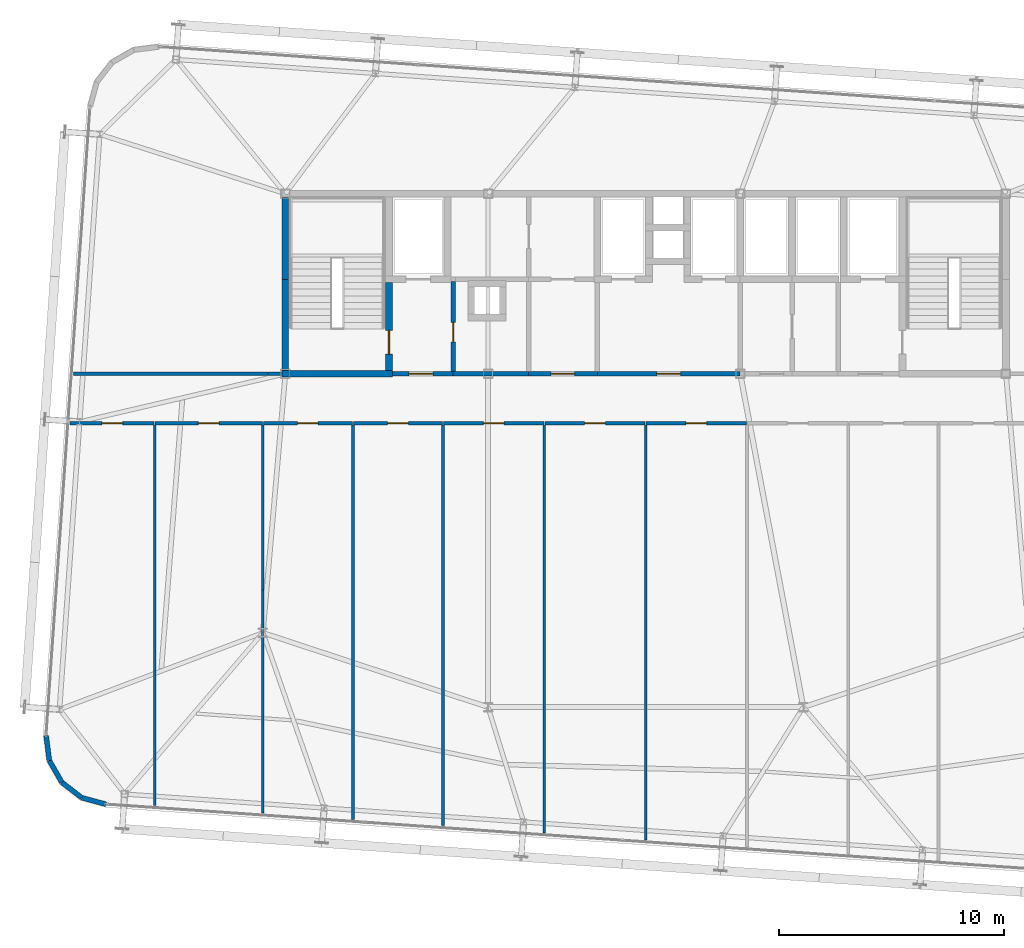
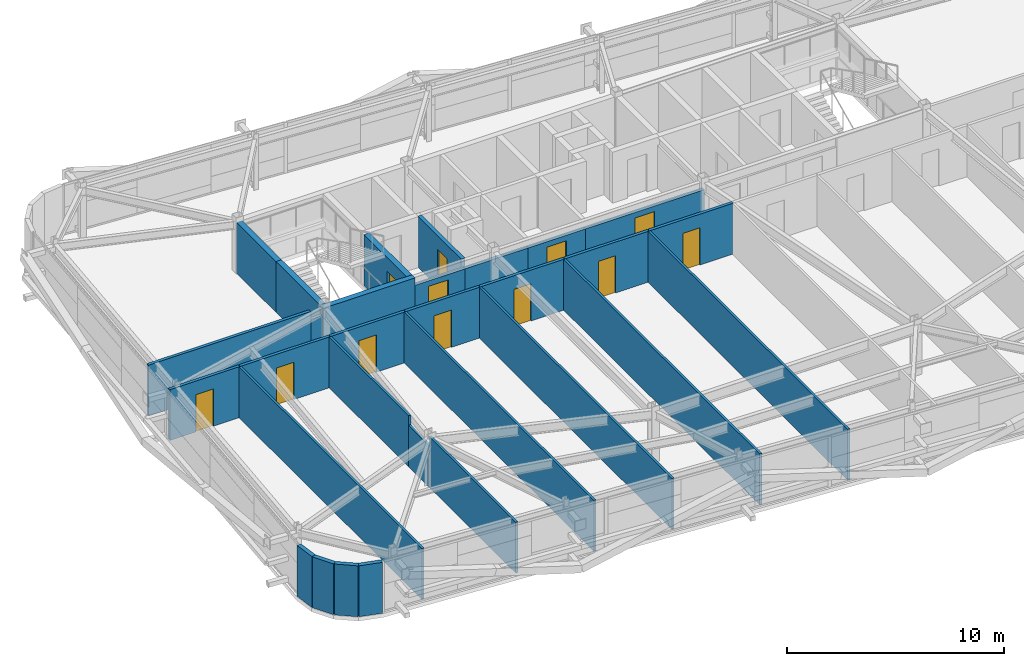
# One storey, part 35 of 39: 30 walls, 12 doors, 12 openings.
"""IFC4 building model written with IfcOpenShell, lengths in metres."""

from ifc_helpers import new_model, si_unit, direction, frame, frame_2d, origin, place, context, subcontext, project, spatial, rectangle, extrude, source, transform, mapped, material, layer, layer_set, type_object, element, fill, save


model = new_model("IFC4")

# Units and contexts
model_context = context("Model", 3, precision=1e-05, world=origin(), true_north=direction((0.0, 1.0)))
body_context = subcontext(model_context, "Body", "Model", "MODEL_VIEW")
ifc_project = project(units=[si_unit("LENGTHUNIT", "METRE"), si_unit("AREAUNIT", "SQUARE_METRE"), si_unit("VOLUMEUNIT", "CUBIC_METRE"), si_unit("PLANEANGLEUNIT", "RADIAN"), si_unit("MASSUNIT", "GRAM", prefix="KILO")], contexts=[model_context])

# Site, building, storey
site_placement = place(None, origin())
site = spatial("IfcSite", under=ifc_project, at=site_placement, CompositionType="ELEMENT")
building_placement = place(site_placement, origin())
building = spatial("IfcBuilding", under=site, at=building_placement, Name="Taldren Reach Tower", CompositionType="ELEMENT")
storey_placement = place(building_placement, frame((0.0, 0.0, 161.35009765625)))
storey = spatial("IfcBuildingStorey", under=building, at=storey_placement, Name="L49", CompositionType="ELEMENT", Elevation=161.35009765625)

# Walls
ifc_material_1 = material(Name="Pale Champagne Anodised Aluminium Cladding", Category="aluminium")
ifc_layer_1 = layer(ifc_material_1, 0.04, Name="Pale Champagne Anodised Aluminium Cladding", Category="aluminium")
ifc_material_2 = material(Name="Mineral Wool Acoustic Insulation", Category="insulation")
ifc_layer_2 = layer(ifc_material_2, 0.06, Name="Mineral Wool Acoustic Insulation", Category="insulation")
ifc_material_3 = material(Name="Steel Gr 350 (C350L0)", Category="steel")
ifc_layer_3 = layer(ifc_material_3, 0.12, Name="Steel Gr 350 (C350L0)", Category="steel")
ifc_layer_set_1 = layer_set([ifc_layer_1, ifc_layer_2, ifc_layer_3], Name="Pale Champagne Aluminium Cladding and Steel Gr 350 Stud Framing")
wall_type_1 = type_object("IfcWallType", Name="EW-CRN-220", PredefinedType="SOLIDWALL", material=ifc_layer_set_1)
shared_shape_1 = source(origin(), body_context, "Body", "SweptSolid", [
    extrude(rectangle(XDim=1.115966796875, YDim=0.219970703125, at=frame_2d((0.55810546875, 0.0))), origin(), (0.0, 0.0, 1.0), 2.869873046875),
])
for number, where, z_axis, x_axis, name in (
    (1, (8.37646484375, 7.93798828125, 0.0), (0.0, 0.0, 1.0), (0.126242535829, -0.991999406324, 0.0), "Rounded-corner pale-metal facade wall L49-SW1"),
    (2, (8.517333984375, 6.8310546875, 0.0), (0.0, 0.0, 1.0), (0.496138938357, -0.868243142124, 0.0), "Rounded-corner pale-metal facade wall L49-SW2"),
    (3, (9.071044921875, 5.862060546875, 0.0), (0.0, 0.0, 1.0), (0.790716874741, -0.612182018684, 0.0), "Rounded-corner pale-metal facade wall L49-SW3"),
    (4, (9.953369140625, 5.178955078125, 0.0), (0.0, 0.0, 1.0), (0.964804199372, -0.262969307856, 0.0), "Rounded-corner pale-metal facade wall L49-SW4"),
):
    element("IfcWall", number, at=place(storey_placement, frame(where, z_axis=z_axis, x_axis=x_axis)), inside=storey, type_object=wall_type_1, Name=name, PredefinedType="SOLIDWALL", context=body_context, shape_type="MappedRepresentation", body=[
        mapped(shared_shape_1, transform((0.0, 0.0, 0.0), scale=1.0)),
    ])
ifc_material_4 = material(Name="Concrete S65 (65 MPa)", Category="concrete")
ifc_layer_4 = layer(ifc_material_4, 0.300048828125)
ifc_layer_set_2 = layer_set([ifc_layer_4], Name="Concrete S65 (65 MPa)")
wall_type_2 = type_object("IfcWallType", Name="IW-CORE-300", PredefinedType="SHEAR", material=ifc_layer_set_2)
shared_shape_2 = source(origin(), body_context, "Body", "SweptSolid", [
    extrude(rectangle(XDim=4.050048828125, YDim=0.300048828125, at=frame_2d((2.02490234375, 0.0))), origin(), (0.0, 0.0, 1.0), 2.869873046875),
])
wall_1_placement = place(storey_placement, frame((19.0, 24.14990234375, 0.0), z_axis=(0.0, 0.0, 1.0), x_axis=(0.0, 1.0, 0.0)))
element("IfcWall", 5, at=wall_1_placement, inside=storey, type_object=wall_type_2, Name="Rear Core Shear Wall W-CORE-L49-WEST1", PredefinedType="SHEAR", context=body_context, shape_type="MappedRepresentation", body=[
    mapped(shared_shape_2, transform((0.0, 0.0, 0.0), scale=1.0)),
])
shared_shape_3 = source(origin(), body_context, "Body", "SweptSolid", [
    extrude(rectangle(XDim=3.650146484375, YDim=0.300048828125, at=frame_2d((1.8251953125, 0.0))), origin(), (0.0, 0.0, 1.0), 2.869873046875),
])
wall_2_placement = place(storey_placement, frame((19.0, 28.199951171875, 0.0), z_axis=(0.0, 0.0, 1.0), x_axis=(0.0, 1.0, 0.0)))
element("IfcWall", 6, at=wall_2_placement, inside=storey, type_object=wall_type_2, Name="Rear Core Shear Wall W-CORE-L49-WEST2", PredefinedType="SHEAR", context=body_context, shape_type="MappedRepresentation", body=[
    mapped(shared_shape_3, transform((0.0, 0.0, 0.0), scale=1.0)),
])

# Wall, opening, door
shared_shape_4 = source(origin(), body_context, "Body", "SweptSolid", [
    extrude(rectangle(XDim=3.900146484375, YDim=0.300048828125, at=frame_2d((1.9501953125, 0.0))), origin(), (0.0, 0.0, 1.0), 2.869873046875),
])
wall_3_placement = place(storey_placement, frame((23.60009765625, 24.14990234375, 0.0), z_axis=(0.0, 0.0, 1.0), x_axis=(0.0, 1.0, 0.0)))
wall_3 = element("IfcWall", 7, at=wall_3_placement, inside=storey, type_object=wall_type_2, Name="Rear Core Shear Wall W-INT-L49-002", PredefinedType="SHEAR", context=body_context, shape_type="MappedRepresentation", body=[
    mapped(shared_shape_4, transform((0.0, 0.0, 0.0), scale=1.0)),
])
shared_shape_5 = source(origin(), body_context, "Body", "SweptSolid", [
    extrude(rectangle(XDim=1.050048828125, YDim=2.10009765625, at=frame_2d((0.52490234375, 1.050048828125))), frame((0.0, 0.16015625, 0.0), z_axis=(0.0, -1.0, 0.0), x_axis=(1.0, 0.0, 0.0)), (0.0, 0.0, 1.0), 0.320068359375),
])
opening_1_placement = place(wall_3_placement, frame((0.72509765625, 0.0, 0.0)))
opening_1 = element("IfcOpeningElement", 8, at=opening_1_placement, cuts=wall_3, Name="Opening DF-105", PredefinedType="OPENING", context=body_context, shape_type="MappedRepresentation", body=[
    mapped(shared_shape_5, transform((0.0, 0.0, 0.0), scale=1.0)),
])
ifc_material_5 = material(Name="Fire-Rated Care and Stair Exit Door")
door_type_1 = type_object("IfcDoorType", Name="ID-FIRE-105", OperationType="NOTDEFINED", PredefinedType="DOOR", material=ifc_material_5)
shared_shape_6 = source(origin(), body_context, "Body", "SweptSolid", [
    extrude(rectangle(XDim=1.050048828125, YDim=2.10009765625, at=frame_2d((0.52490234375, 1.050048828125))), frame((0.0, 0.02490234375, 0.0), z_axis=(0.0, -1.0, 0.0), x_axis=(1.0, 0.0, 0.0)), (0.0, 0.0, 1.0), 0.050048828125),
])
door_1_placement = place(opening_1_placement, origin())
door_1 = element("IfcDoor", 9, at=door_1_placement, inside=storey, type_object=door_type_1, Name="Fire Exit Stair Door DR-L49-001", OperationType="SINGLE_SWING_LEFT", OverallHeight=2.10009765625, OverallWidth=1.050048828125, PredefinedType="DOOR", context=body_context, shape_type="MappedRepresentation", body=[
    mapped(shared_shape_6, transform((0.0, 0.0, 0.0), scale=1.0)),
])
fill(opening_1, door_1)

# Wall
shared_shape_7 = source(origin(), body_context, "Body", "SweptSolid", [
    extrude(rectangle(XDim=4.89990234375, YDim=0.300048828125, at=frame_2d((2.449951171875, 0.0))), origin(), (0.0, 0.0, 1.0), 2.869873046875),
])
wall_4_placement = place(storey_placement, frame((18.85009765625, 24.0, 0.0), z_axis=(0.0, 0.0, 1.0), x_axis=(1.0, 0.0, 0.0)))
element("IfcWall", 10, at=wall_4_placement, inside=storey, type_object=wall_type_2, Name="Rear Core Shear Wall W-INT-L49-003", PredefinedType="SHEAR", context=body_context, shape_type="MappedRepresentation", body=[
    mapped(shared_shape_7, transform((0.0, 0.0, 0.0), scale=1.0)),
])

# Wall, opening, door
ifc_material_6 = material(Name="Concrete S50 (50 MPa)", Category="concrete")
ifc_layer_5 = layer(ifc_material_6, 0.199951171875)
ifc_layer_set_3 = layer_set([ifc_layer_5], Name="Concrete S50 (50 MPa)")
wall_type_3 = type_object("IfcWallType", Name="IW-CORE-200", PredefinedType="SOLIDWALL", material=ifc_layer_set_3)
shared_shape_8 = source(origin(), body_context, "Body", "SweptSolid", [
    extrude(rectangle(XDim=4.0, YDim=0.199951171875, at=frame_2d((2.0, 0.0))), origin(), (0.0, 0.0, 1.0), 2.869873046875),
])
wall_5_placement = place(storey_placement, frame((26.449951171875, 24.10009765625, 0.0), z_axis=(0.0, 0.0, 1.0), x_axis=(0.0, 1.0, 0.0)))
wall_5 = element("IfcWall", 11, at=wall_5_placement, inside=storey, type_object=wall_type_3, Name="Rear Core Shear Wall W-INT-L49-006", PredefinedType="SOLIDWALL", context=body_context, shape_type="MappedRepresentation", body=[
    mapped(shared_shape_8, transform((0.0, 0.0, 0.0), scale=1.0)),
])
shared_shape_9 = source(origin(), body_context, "Body", "SweptSolid", [
    extrude(rectangle(XDim=0.860107421875, YDim=2.10009765625, at=frame_2d((0.43017578125, 1.050048828125))), frame((0.0, 0.10986328125, 0.0), z_axis=(0.0, -1.0, 0.0), x_axis=(1.0, 0.0, 0.0)), (0.0, 0.0, 1.0), 0.219970703125),
])
opening_2_placement = place(wall_5_placement, frame((1.320068359375, 0.0, 0.0)))
opening_2 = element("IfcOpeningElement", 12, at=opening_2_placement, cuts=wall_5, Name="Opening DI-086", PredefinedType="OPENING", context=body_context, shape_type="MappedRepresentation", body=[
    mapped(shared_shape_9, transform((0.0, 0.0, 0.0), scale=1.0)),
])
ifc_material_7 = material(Name="Timber Bathroom Door", Category="wood")
door_type_2 = type_object("IfcDoorType", Name="ID-INT-086", OperationType="NOTDEFINED", PredefinedType="DOOR", material=ifc_material_7)
shared_shape_10 = source(origin(), body_context, "Body", "SweptSolid", [
    extrude(rectangle(XDim=0.860107421875, YDim=2.10009765625, at=frame_2d((0.43017578125, 1.050048828125))), frame((0.0, 0.02490234375, 0.0), z_axis=(0.0, -1.0, 0.0), x_axis=(1.0, 0.0, 0.0)), (0.0, 0.0, 1.0), 0.050048828125),
])
door_2_placement = place(opening_2_placement, frame((0.860107421875, 0.0, 0.0), z_axis=(0.0, 0.0, 1.0), x_axis=(-1.0, 0.0, 0.0)))
door_2 = element("IfcDoor", 13, at=door_2_placement, inside=storey, type_object=door_type_2, Name="Interior Door DR-L49-024", OperationType="SINGLE_SWING_RIGHT", OverallHeight=2.10009765625, OverallWidth=0.860107421875, PredefinedType="DOOR", context=body_context, shape_type="MappedRepresentation", body=[
    mapped(shared_shape_10, transform((0.0, 0.0, 0.0), scale=1.0)),
])
fill(opening_2, door_2)

shared_shape_11 = source(origin(), body_context, "Body", "SweptSolid", [
    extrude(rectangle(XDim=2.699951171875, YDim=0.199951171875, at=frame_2d((1.35009765625, 0.0))), origin(), (0.0, 0.0, 1.0), 2.409912109375),
])
wall_6_placement = place(storey_placement, frame((23.75, 24.0, 0.0), z_axis=(0.0, 0.0, 1.0), x_axis=(1.0, 0.0, 0.0)))
wall_6 = element("IfcWall", 14, at=wall_6_placement, inside=storey, type_object=wall_type_3, Name="Rear Core Shear Wall W-INT-L49-007", PredefinedType="SOLIDWALL", context=body_context, shape_type="MappedRepresentation", body=[
    mapped(shared_shape_11, transform((0.0, 0.0, 0.0), scale=1.0)),
])
shared_shape_12 = source(origin(), body_context, "Body", "SweptSolid", [
    extrude(rectangle(XDim=1.050048828125, YDim=2.10009765625, at=frame_2d((0.52490234375, 1.050048828125))), frame((0.0, 0.10986328125, 0.0), z_axis=(0.0, -1.0, 0.0), x_axis=(1.0, 0.0, 0.0)), (0.0, 0.0, 1.0), 0.219970703125),
])
opening_3_placement = place(wall_6_placement, frame((0.75, 0.0, 0.0)))
opening_3 = element("IfcOpeningElement", 15, at=opening_3_placement, cuts=wall_6, Name="Opening DF-105", PredefinedType="OPENING", context=body_context, shape_type="MappedRepresentation", body=[
    mapped(shared_shape_12, transform((0.0, 0.0, 0.0), scale=1.0)),
])
door_3_placement = place(opening_3_placement, origin())
door_3 = element("IfcDoor", 16, at=door_3_placement, inside=storey, type_object=door_type_1, Name="Interior Door DR-L49-002", OperationType="SINGLE_SWING_LEFT", OverallHeight=2.10009765625, OverallWidth=1.050048828125, PredefinedType="DOOR", context=body_context, shape_type="MappedRepresentation", body=[
    mapped(shared_shape_6, transform((0.0, 0.0, 0.0), scale=1.0)),
])
fill(opening_3, door_3)

shared_shape_13 = source(origin(), body_context, "Body", "SweptSolid", [
    extrude(rectangle(XDim=6.349853515625, YDim=0.199951171875, at=frame_2d((3.1748046875, 0.0))), origin(), (0.0, 0.0, 1.0), 2.409912109375),
])
wall_7_placement = place(storey_placement, frame((39.199951171875, 24.0, 0.0), z_axis=(0.0, 0.0, 1.0), x_axis=(-1.0, 0.0, 0.0)))
wall_7 = element("IfcWall", 17, at=wall_7_placement, inside=storey, type_object=wall_type_3, Name="Rear Core Shear Wall W-INT-L49-033", PredefinedType="SOLIDWALL", context=body_context, shape_type="MappedRepresentation", body=[
    mapped(shared_shape_13, transform((0.0, 0.0, 0.0), scale=1.0)),
])
opening_4_placement = place(wall_7_placement, frame((2.64990234375, 0.0, 0.0)))
opening_4 = element("IfcOpeningElement", 18, at=opening_4_placement, cuts=wall_7, Name="Opening DF-105", PredefinedType="OPENING", context=body_context, shape_type="MappedRepresentation", body=[
    mapped(shared_shape_12, transform((0.0, 0.0, 0.0), scale=1.0)),
])
door_4_placement = place(opening_4_placement, frame((1.050048828125, 0.0, 0.0), z_axis=(0.0, 0.0, 1.0), x_axis=(-1.0, 0.0, 0.0)))
door_4 = element("IfcDoor", 19, at=door_4_placement, inside=storey, type_object=door_type_1, Name="Interior Door DR-L49-005", OperationType="SINGLE_SWING_LEFT", OverallHeight=2.10009765625, OverallWidth=1.050048828125, PredefinedType="DOOR", context=body_context, shape_type="MappedRepresentation", body=[
    mapped(shared_shape_6, transform((0.0, 0.0, 0.0), scale=1.0)),
])
fill(opening_4, door_4)

# Wall
shared_shape_14 = source(origin(), body_context, "Body", "SweptSolid", [
    extrude(rectangle(XDim=3.35009765625, YDim=0.199951171875, at=frame_2d((1.675048828125, 0.0))), origin(), (0.0, 0.0, 1.0), 2.409912109375),
])
wall_8_placement = place(storey_placement, frame((29.800048828125, 24.0, 0.0), z_axis=(0.0, 0.0, 1.0), x_axis=(-1.0, 0.0, 0.0)))
element("IfcWall", 20, at=wall_8_placement, inside=storey, type_object=wall_type_3, Name="Rear Core Shear Wall W-INT-L49-039", PredefinedType="SOLIDWALL", context=body_context, shape_type="MappedRepresentation", body=[
    mapped(shared_shape_14, transform((0.0, 0.0, 0.0), scale=1.0)),
])

# Wall, opening, door
shared_shape_15 = source(origin(), body_context, "Body", "SweptSolid", [
    extrude(rectangle(XDim=3.050048828125, YDim=0.199951171875, at=frame_2d((1.52490234375, 0.0))), origin(), (0.0, 0.0, 1.0), 2.409912109375),
])
wall_9_placement = place(storey_placement, frame((32.85009765625, 24.0, 0.0), z_axis=(0.0, 0.0, 1.0), x_axis=(-1.0, 0.0, 0.0)))
wall_9 = element("IfcWall", 21, at=wall_9_placement, inside=storey, type_object=wall_type_3, Name="Rear Core Shear Wall W-INT-L49-041", PredefinedType="SOLIDWALL", context=body_context, shape_type="MappedRepresentation", body=[
    mapped(shared_shape_15, transform((0.0, 0.0, 0.0), scale=1.0)),
])
opening_5_placement = place(wall_9_placement, frame((1.0, 0.0, 0.0)))
opening_5 = element("IfcOpeningElement", 22, at=opening_5_placement, cuts=wall_9, Name="Opening DF-105", PredefinedType="OPENING", context=body_context, shape_type="MappedRepresentation", body=[
    mapped(shared_shape_12, transform((0.0, 0.0, 0.0), scale=1.0)),
])
door_5_placement = place(opening_5_placement, frame((1.050048828125, 0.0, 0.0), z_axis=(0.0, 0.0, 1.0), x_axis=(-1.0, 0.0, 0.0)))
door_5 = element("IfcDoor", 23, at=door_5_placement, inside=storey, type_object=door_type_1, Name="Interior Door DR-L49-007", OperationType="SINGLE_SWING_LEFT", OverallHeight=2.10009765625, OverallWidth=1.050048828125, PredefinedType="DOOR", context=body_context, shape_type="MappedRepresentation", body=[
    mapped(shared_shape_6, transform((0.0, 0.0, 0.0), scale=1.0)),
])
fill(opening_5, door_5)

ifc_material_8 = material(Name="Fire-Rated Acoustic Plasterboard Stud Wall", Category="gypsum")
ifc_layer_6 = layer(ifc_material_8, 0.159912109375)
ifc_layer_set_4 = layer_set([ifc_layer_6], Name="Fire-Rated Acoustic Plasterboard Stud Wall")
wall_type_4 = type_object("IfcWallType", Name="IW-FIRE-160", PredefinedType="PARTITIONING", material=ifc_layer_set_4)
shared_shape_16 = source(origin(), body_context, "Body", "SweptSolid", [
    extrude(rectangle(XDim=3.732177734375, YDim=0.159912109375, at=frame_2d((1.8662109375, 0.0))), origin(), (0.0, 0.0, 1.0), 2.869873046875),
])
wall_10_placement = place(storey_placement, frame((13.173583984375, 21.800048828125, 0.0), z_axis=(0.0, 0.0, 1.0), x_axis=(-1.0, 0.0, 0.0)))
wall_10 = element("IfcWall", 24, at=wall_10_placement, inside=storey, type_object=wall_type_4, Name="Interior Partition Wall W-INT-L49-046", PredefinedType="PARTITIONING", context=body_context, shape_type="MappedRepresentation", body=[
    mapped(shared_shape_16, transform((0.0, 0.0, 0.0), scale=1.0)),
])
shared_shape_17 = source(origin(), body_context, "Body", "SweptSolid", [
    extrude(rectangle(XDim=0.919921875, YDim=2.10009765625, at=frame_2d((0.4599609375, 1.050048828125))), frame((0.0, 0.08984375, 0.0), z_axis=(0.0, -1.0, 0.0), x_axis=(1.0, 0.0, 0.0)), (0.0, 0.0, 1.0), 0.179931640625),
])
opening_6_placement = place(wall_10_placement, frame((1.406005859375, 0.0, 0.0)))
opening_6 = element("IfcOpeningElement", 25, at=opening_6_placement, cuts=wall_10, Name="Opening DI-092", PredefinedType="OPENING", context=body_context, shape_type="MappedRepresentation", body=[
    mapped(shared_shape_17, transform((0.0, 0.0, 0.0), scale=1.0)),
])
ifc_material_9 = material(Name="Solid-Core Timber Suite Door", Category="wood")
door_type_3 = type_object("IfcDoorType", Name="ID-INT-092", OperationType="NOTDEFINED", PredefinedType="DOOR", material=ifc_material_9)
shared_shape_18 = source(origin(), body_context, "Body", "SweptSolid", [
    extrude(rectangle(XDim=0.919921875, YDim=2.10009765625, at=frame_2d((0.4599609375, 1.050048828125))), frame((0.0, 0.02490234375, 0.0), z_axis=(0.0, -1.0, 0.0), x_axis=(1.0, 0.0, 0.0)), (0.0, 0.0, 1.0), 0.050048828125),
])
door_6_placement = place(opening_6_placement, origin())
door_6 = element("IfcDoor", 26, at=door_6_placement, inside=storey, type_object=door_type_3, Name="Interior Door DR-L49-011", OperationType="SINGLE_SWING_RIGHT", OverallHeight=2.10009765625, OverallWidth=0.919921875, PredefinedType="DOOR", context=body_context, shape_type="MappedRepresentation", body=[
    mapped(shared_shape_18, transform((0.0, 0.0, 0.0), scale=1.0)),
])
fill(opening_6, door_6)

shared_shape_19 = source(origin(), body_context, "Body", "SweptSolid", [
    extrude(rectangle(XDim=4.765380859375, YDim=0.159912109375, at=frame_2d((2.3828125, 0.0))), origin(), (0.0, 0.0, 1.0), 2.869873046875),
])
wall_11_placement = place(storey_placement, frame((17.9794921875, 21.800048828125, 0.0), z_axis=(0.0, 0.0, 1.0), x_axis=(-1.0, 0.0, 0.0)))
wall_11 = element("IfcWall", 27, at=wall_11_placement, inside=storey, type_object=wall_type_4, Name="Interior Partition Wall W-INT-L49-047", PredefinedType="PARTITIONING", context=body_context, shape_type="MappedRepresentation", body=[
    mapped(shared_shape_19, transform((0.0, 0.0, 0.0), scale=1.0)),
])
opening_7_placement = place(wall_11_placement, frame((1.922607421875, 0.0, 0.0)))
opening_7 = element("IfcOpeningElement", 28, at=opening_7_placement, cuts=wall_11, Name="Opening DI-092", PredefinedType="OPENING", context=body_context, shape_type="MappedRepresentation", body=[
    mapped(shared_shape_17, transform((0.0, 0.0, 0.0), scale=1.0)),
])
door_7_placement = place(opening_7_placement, origin())
door_7 = element("IfcDoor", 29, at=door_7_placement, inside=storey, type_object=door_type_3, Name="Interior Door DR-L49-012", OperationType="SINGLE_SWING_LEFT", OverallHeight=2.10009765625, OverallWidth=0.919921875, PredefinedType="DOOR", context=body_context, shape_type="MappedRepresentation", body=[
    mapped(shared_shape_18, transform((0.0, 0.0, 0.0), scale=1.0)),
])
fill(opening_7, door_7)

shared_shape_20 = source(origin(), body_context, "Body", "SweptSolid", [
    extrude(rectangle(XDim=3.95947265625, YDim=0.159912109375, at=frame_2d((1.979736328125, 0.0))), origin(), (0.0, 0.0, 1.0), 2.869873046875),
])
wall_12_placement = place(storey_placement, frame((21.979736328125, 21.800048828125, 0.0), z_axis=(0.0, 0.0, 1.0), x_axis=(-1.0, 0.0, 0.0)))
wall_12 = element("IfcWall", 30, at=wall_12_placement, inside=storey, type_object=wall_type_4, Name="Interior Partition Wall W-INT-L49-048", PredefinedType="PARTITIONING", context=body_context, shape_type="MappedRepresentation", body=[
    mapped(shared_shape_20, transform((0.0, 0.0, 0.0), scale=1.0)),
])
opening_8_placement = place(wall_12_placement, frame((1.519775390625, 0.0, 0.0)))
opening_8 = element("IfcOpeningElement", 31, at=opening_8_placement, cuts=wall_12, Name="Opening DI-092", PredefinedType="OPENING", context=body_context, shape_type="MappedRepresentation", body=[
    mapped(shared_shape_17, transform((0.0, 0.0, 0.0), scale=1.0)),
])
door_8_placement = place(opening_8_placement, origin())
door_8 = element("IfcDoor", 32, at=door_8_placement, inside=storey, type_object=door_type_3, Name="Interior Door DR-L49-013", OperationType="SINGLE_SWING_RIGHT", OverallHeight=2.10009765625, OverallWidth=0.919921875, PredefinedType="DOOR", context=body_context, shape_type="MappedRepresentation", body=[
    mapped(shared_shape_18, transform((0.0, 0.0, 0.0), scale=1.0)),
])
fill(opening_8, door_8)

wall_13_placement = place(storey_placement, frame((25.979736328125, 21.800048828125, 0.0), z_axis=(0.0, 0.0, 1.0), x_axis=(-1.0, 0.0, 0.0)))
wall_13 = element("IfcWall", 33, at=wall_13_placement, inside=storey, type_object=wall_type_4, Name="Interior Partition Wall W-INT-L49-049", PredefinedType="PARTITIONING", context=body_context, shape_type="MappedRepresentation", body=[
    mapped(shared_shape_20, transform((0.0, 0.0, 0.0), scale=1.0)),
])
opening_9_placement = place(wall_13_placement, frame((1.519775390625, 0.0, 0.0)))
opening_9 = element("IfcOpeningElement", 34, at=opening_9_placement, cuts=wall_13, Name="Opening DI-092", PredefinedType="OPENING", context=body_context, shape_type="MappedRepresentation", body=[
    mapped(shared_shape_17, transform((0.0, 0.0, 0.0), scale=1.0)),
])
door_9_placement = place(opening_9_placement, origin())
door_9 = element("IfcDoor", 35, at=door_9_placement, inside=storey, type_object=door_type_3, Name="Interior Door DR-L49-014", OperationType="SINGLE_SWING_LEFT", OverallHeight=2.10009765625, OverallWidth=0.919921875, PredefinedType="DOOR", context=body_context, shape_type="MappedRepresentation", body=[
    mapped(shared_shape_18, transform((0.0, 0.0, 0.0), scale=1.0)),
])
fill(opening_9, door_9)

shared_shape_21 = source(origin(), body_context, "Body", "SweptSolid", [
    extrude(rectangle(XDim=4.45947265625, YDim=0.159912109375, at=frame_2d((2.229736328125, 0.0))), origin(), (0.0, 0.0, 1.0), 2.869873046875),
])
wall_14_placement = place(storey_placement, frame((30.479736328125, 21.800048828125, 0.0), z_axis=(0.0, 0.0, 1.0), x_axis=(-1.0, 0.0, 0.0)))
wall_14 = element("IfcWall", 36, at=wall_14_placement, inside=storey, type_object=wall_type_4, Name="Interior Partition Wall W-INT-L49-050", PredefinedType="PARTITIONING", context=body_context, shape_type="MappedRepresentation", body=[
    mapped(shared_shape_21, transform((0.0, 0.0, 0.0), scale=1.0)),
])
opening_10_placement = place(wall_14_placement, frame((1.769775390625, 0.0, 0.0)))
opening_10 = element("IfcOpeningElement", 37, at=opening_10_placement, cuts=wall_14, Name="Opening DI-092", PredefinedType="OPENING", context=body_context, shape_type="MappedRepresentation", body=[
    mapped(shared_shape_17, transform((0.0, 0.0, 0.0), scale=1.0)),
])
door_10_placement = place(opening_10_placement, origin())
door_10 = element("IfcDoor", 38, at=door_10_placement, inside=storey, type_object=door_type_3, Name="Interior Door DR-L49-015", OperationType="SINGLE_SWING_RIGHT", OverallHeight=2.10009765625, OverallWidth=0.919921875, PredefinedType="DOOR", context=body_context, shape_type="MappedRepresentation", body=[
    mapped(shared_shape_18, transform((0.0, 0.0, 0.0), scale=1.0)),
])
fill(opening_10, door_10)

wall_15_placement = place(storey_placement, frame((34.979736328125, 21.800048828125, 0.0), z_axis=(0.0, 0.0, 1.0), x_axis=(-1.0, 0.0, 0.0)))
wall_15 = element("IfcWall", 39, at=wall_15_placement, inside=storey, type_object=wall_type_4, Name="Interior Partition Wall W-INT-L49-051", PredefinedType="PARTITIONING", context=body_context, shape_type="MappedRepresentation", body=[
    mapped(shared_shape_21, transform((0.0, 0.0, 0.0), scale=1.0)),
])
opening_11_placement = place(wall_15_placement, frame((1.769775390625, 0.0, 0.0)))
opening_11 = element("IfcOpeningElement", 40, at=opening_11_placement, cuts=wall_15, Name="Opening DI-092", PredefinedType="OPENING", context=body_context, shape_type="MappedRepresentation", body=[
    mapped(shared_shape_17, transform((0.0, 0.0, 0.0), scale=1.0)),
])
door_11_placement = place(opening_11_placement, origin())
door_11 = element("IfcDoor", 41, at=door_11_placement, inside=storey, type_object=door_type_3, Name="Interior Door DR-L49-016", OperationType="SINGLE_SWING_LEFT", OverallHeight=2.10009765625, OverallWidth=0.919921875, PredefinedType="DOOR", context=body_context, shape_type="MappedRepresentation", body=[
    mapped(shared_shape_18, transform((0.0, 0.0, 0.0), scale=1.0)),
])
fill(opening_11, door_11)

wall_16_placement = place(storey_placement, frame((39.479736328125, 21.800048828125, 0.0), z_axis=(0.0, 0.0, 1.0), x_axis=(-1.0, 0.0, 0.0)))
wall_16 = element("IfcWall", 42, at=wall_16_placement, inside=storey, type_object=wall_type_4, Name="Interior Partition Wall W-INT-L49-052", PredefinedType="PARTITIONING", context=body_context, shape_type="MappedRepresentation", body=[
    mapped(shared_shape_21, transform((0.0, 0.0, 0.0), scale=1.0)),
])
opening_12_placement = place(wall_16_placement, frame((1.769775390625, 0.0, 0.0)))
opening_12 = element("IfcOpeningElement", 43, at=opening_12_placement, cuts=wall_16, Name="Opening DI-092", PredefinedType="OPENING", context=body_context, shape_type="MappedRepresentation", body=[
    mapped(shared_shape_17, transform((0.0, 0.0, 0.0), scale=1.0)),
])
door_12_placement = place(opening_12_placement, origin())
door_12 = element("IfcDoor", 44, at=door_12_placement, inside=storey, type_object=door_type_3, Name="Interior Door DR-L49-017", OperationType="SINGLE_SWING_RIGHT", OverallHeight=2.10009765625, OverallWidth=0.919921875, PredefinedType="DOOR", context=body_context, shape_type="MappedRepresentation", body=[
    mapped(shared_shape_18, transform((0.0, 0.0, 0.0), scale=1.0)),
])
fill(opening_12, door_12)

# Walls
shared_shape_22 = source(origin(), body_context, "Body", "SweptSolid", [
    extrude(rectangle(XDim=8.65234375, YDim=0.159912109375, at=frame_2d((4.326171875, 0.0))), origin(), (0.0, 0.0, 1.0), 2.869873046875),
])
wall_17_placement = place(storey_placement, frame((9.584228515625, 24.0, 0.0), z_axis=(0.0, 0.0, 1.0), x_axis=(1.0, 0.0, 0.0)))
element("IfcWall", 45, at=wall_17_placement, inside=storey, type_object=wall_type_4, Name="Interior Partition Wall W-INT-L49-059", PredefinedType="PARTITIONING", context=body_context, shape_type="MappedRepresentation", body=[
    mapped(shared_shape_22, transform((0.0, 0.0, 0.0), scale=1.0)),
])
shared_shape_23 = source(origin(), body_context, "Body", "SweptSolid", [
    extrude(rectangle(XDim=0.613525390625, YDim=0.159912109375, at=frame_2d((0.306640625, 0.0))), origin(), (0.0, 0.0, 1.0), 2.409912109375),
])
wall_18_placement = place(storey_placement, frame((18.236572265625, 24.0, 0.0), z_axis=(0.0, 0.0, 1.0), x_axis=(1.0, 0.0, 0.0)))
element("IfcWall", 46, at=wall_18_placement, inside=storey, type_object=wall_type_4, Name="Interior Partition Wall W-INT-L49-059 part 2", PredefinedType="PARTITIONING", context=body_context, shape_type="MappedRepresentation", body=[
    mapped(shared_shape_23, transform((0.0, 0.0, 0.0), scale=1.0)),
])
ifc_material_10 = material(Name="Insulated Residential Stud Partition", Category="gypsum")
ifc_layer_7 = layer(ifc_material_10, 0.1201171875)
ifc_layer_set_5 = layer_set([ifc_layer_7], Name="Insulated Residential Stud Partition")
wall_type_5 = type_object("IfcWallType", Name="IW-PART-120", PredefinedType="PARTITIONING", material=ifc_layer_set_5)
shared_shape_24 = source(origin(), body_context, "Body", "SweptSolid", [
    extrude(rectangle(XDim=16.88623046875, YDim=0.1201171875, at=frame_2d((8.443115234375, 0.0))), origin(), (0.0, 0.0, 1.0), 2.869873046875),
])
wall_19_placement = place(storey_placement, frame((13.19384765625, 21.718017578125, 0.0), z_axis=(0.0, 0.0, 1.0), x_axis=(0.0, -1.0, 0.0)))
element("IfcWall", 47, at=wall_19_placement, inside=storey, type_object=wall_type_5, Name="Interior Partition Wall W-INT-L49-060", PredefinedType="PARTITIONING", context=body_context, shape_type="MappedRepresentation", body=[
    mapped(shared_shape_24, transform((0.0, 0.0, 0.0), scale=1.0)),
])
shared_shape_25 = source(origin(), body_context, "Body", "SweptSolid", [
    extrude(rectangle(XDim=7.32080078125, YDim=0.1201171875, at=frame_2d((3.660400390625, 0.0))), origin(), (0.0, 0.0, 1.0), 2.869873046875),
])
wall_20_placement = place(storey_placement, frame((18.0, 21.717041015625, 0.0), z_axis=(0.0, 0.0, 1.0), x_axis=(0.0, -1.0, 0.0)))
element("IfcWall", 48, at=wall_20_placement, inside=storey, type_object=wall_type_5, Name="Interior Partition Wall W-INT-L49-061", PredefinedType="PARTITIONING", context=body_context, shape_type="MappedRepresentation", body=[
    mapped(shared_shape_25, transform((0.0, 0.0, 0.0), scale=1.0)),
])
shared_shape_26 = source(origin(), body_context, "Body", "SweptSolid", [
    extrude(rectangle(XDim=1.9013671875, YDim=0.1201171875, at=frame_2d((0.95068359375, 0.0))), origin(), (0.0, 0.0, 1.0), 2.3369140625),
])
wall_21_placement = place(storey_placement, frame((18.0, 14.396240234375, 0.0), z_axis=(0.0, 0.0, 1.0), x_axis=(0.0, -1.0, 0.0)))
element("IfcWall", 49, at=wall_21_placement, inside=storey, type_object=wall_type_5, Name="Interior Partition Wall W-INT-L49-061 part 2", PredefinedType="PARTITIONING", context=body_context, shape_type="MappedRepresentation", body=[
    mapped(shared_shape_26, transform((0.0, 0.0, 0.0), scale=1.0)),
])
shared_shape_27 = source(origin(), body_context, "Body", "SweptSolid", [
    extrude(rectangle(XDim=7.998046875, YDim=0.1201171875, at=frame_2d((3.9990234375, 0.0))), origin(), (0.0, 0.0, 1.0), 2.869873046875),
])
wall_22_placement = place(storey_placement, frame((18.0, 12.494873046875, 0.0), z_axis=(0.0, 0.0, 1.0), x_axis=(0.0, -1.0, 0.0)))
element("IfcWall", 50, at=wall_22_placement, inside=storey, type_object=wall_type_5, Name="Interior Partition Wall W-INT-L49-061 part 3", PredefinedType="PARTITIONING", context=body_context, shape_type="MappedRepresentation", body=[
    mapped(shared_shape_27, transform((0.0, 0.0, 0.0), scale=1.0)),
])
shared_shape_28 = source(origin(), body_context, "Body", "SweptSolid", [
    extrude(rectangle(XDim=17.505859375, YDim=0.1201171875, at=frame_2d((8.7529296875, 0.0))), origin(), (0.0, 0.0, 1.0), 2.869873046875),
])
wall_23_placement = place(storey_placement, frame((22.0, 21.719970703125, 0.0), z_axis=(0.0, 0.0, 1.0), x_axis=(0.0, -1.0, 0.0)))
element("IfcWall", 51, at=wall_23_placement, inside=storey, type_object=wall_type_5, Name="Interior Partition Wall W-INT-L49-062", PredefinedType="PARTITIONING", context=body_context, shape_type="MappedRepresentation", body=[
    mapped(shared_shape_28, transform((0.0, 0.0, 0.0), scale=1.0)),
])
shared_shape_29 = source(origin(), body_context, "Body", "SweptSolid", [
    extrude(rectangle(XDim=17.78173828125, YDim=0.1201171875, at=frame_2d((8.890869140625, 0.0))), origin(), (0.0, 0.0, 1.0), 2.869873046875),
])
wall_24_placement = place(storey_placement, frame((26.0, 21.718017578125, 0.0), z_axis=(0.0, 0.0, 1.0), x_axis=(0.0, -1.0, 0.0)))
element("IfcWall", 52, at=wall_24_placement, inside=storey, type_object=wall_type_5, Name="Interior Partition Wall W-INT-L49-063", PredefinedType="PARTITIONING", context=body_context, shape_type="MappedRepresentation", body=[
    mapped(shared_shape_29, transform((0.0, 0.0, 0.0), scale=1.0)),
])
shared_shape_30 = source(origin(), body_context, "Body", "SweptSolid", [
    extrude(rectangle(XDim=18.10009765625, YDim=0.1201171875, at=frame_2d((9.050048828125, 0.0))), origin(), (0.0, 0.0, 1.0), 2.869873046875),
])
wall_25_placement = place(storey_placement, frame((30.5, 21.719970703125, 0.0), z_axis=(0.0, 0.0, 1.0), x_axis=(0.0, -1.0, 0.0)))
element("IfcWall", 53, at=wall_25_placement, inside=storey, type_object=wall_type_5, Name="Interior Partition Wall W-INT-L49-064", PredefinedType="PARTITIONING", context=body_context, shape_type="MappedRepresentation", body=[
    mapped(shared_shape_30, transform((0.0, 0.0, 0.0), scale=1.0)),
])
shared_shape_31 = source(origin(), body_context, "Body", "SweptSolid", [
    extrude(rectangle(XDim=18.410888671875, YDim=0.1201171875, at=frame_2d((9.20556640625, 0.0))), origin(), (0.0, 0.0, 1.0), 2.869873046875),
])
wall_26_placement = place(storey_placement, frame((35.0, 21.718017578125, 0.0), z_axis=(0.0, 0.0, 1.0), x_axis=(0.0, -1.0, 0.0)))
element("IfcWall", 54, at=wall_26_placement, inside=storey, type_object=wall_type_5, Name="Interior Partition Wall W-INT-L49-065", PredefinedType="PARTITIONING", context=body_context, shape_type="MappedRepresentation", body=[
    mapped(shared_shape_31, transform((0.0, 0.0, 0.0), scale=1.0)),
])

save(model, "model.ifc")
